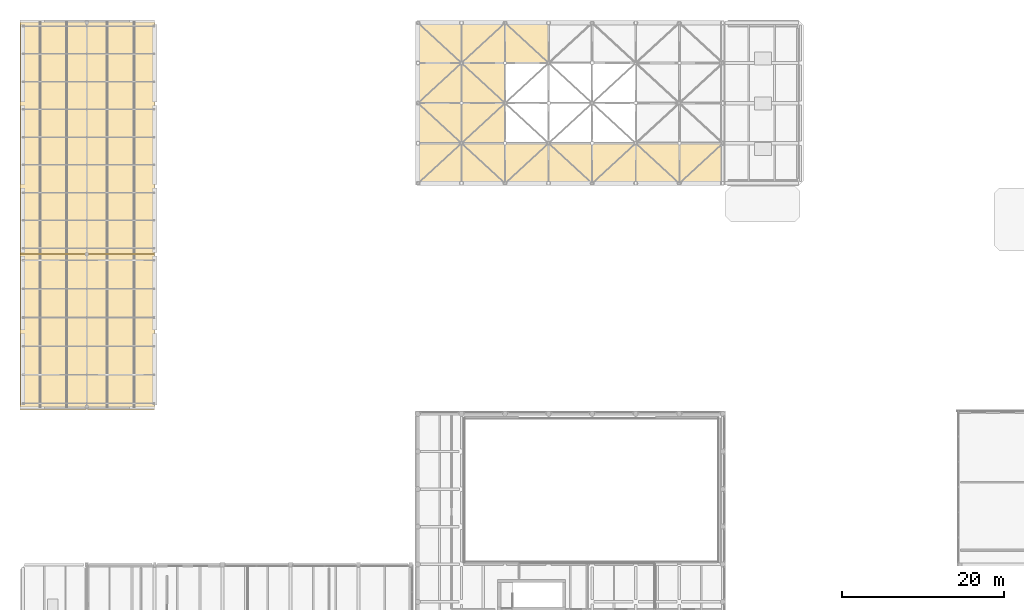
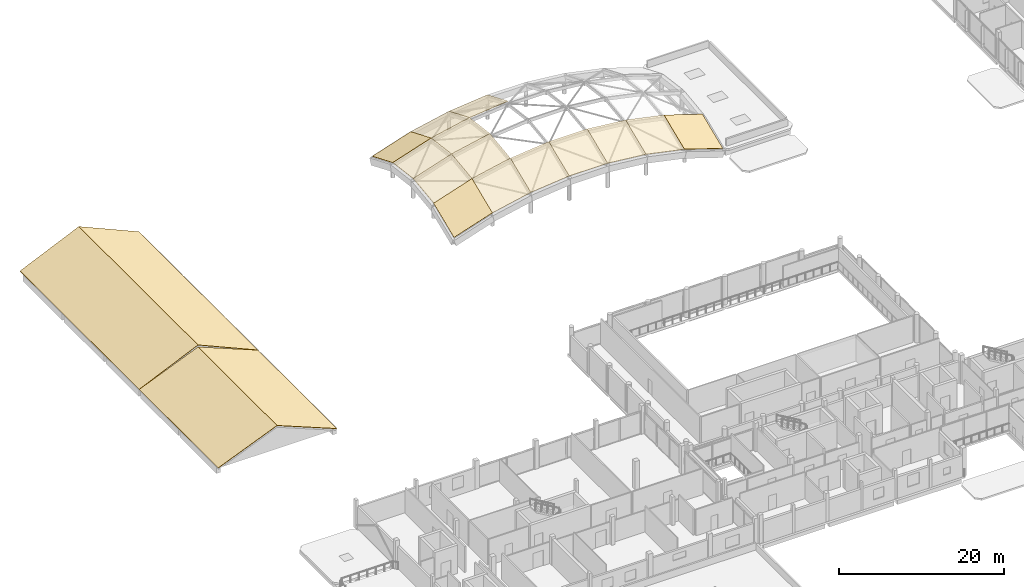
# One storey, part 61 of 66: 18 coverings.
"""IFC4 building model written with IfcOpenShell, lengths in metres."""

from ifc_helpers import new_model, si_unit, direction, frame, origin, place, context, subcontext, project, spatial, polyline, outline, extrude, material, layer, layer_set, type_object, element, save


model = new_model("IFC4")

# Units and contexts
model_context = context("Model", 3, precision=1e-05, world=origin(), true_north=direction((0.0, 1.0)))
body_context = subcontext(model_context, "Body", "Model", "MODEL_VIEW")
ifc_project = project(units=[si_unit("LENGTHUNIT", "METRE"), si_unit("AREAUNIT", "SQUARE_METRE"), si_unit("VOLUMEUNIT", "CUBIC_METRE"), si_unit("PLANEANGLEUNIT", "RADIAN"), si_unit("MASSUNIT", "GRAM", prefix="KILO")], contexts=[model_context])

# Site, building, storey
site_placement = place(None, origin())
site = spatial("IfcSite", under=ifc_project, at=site_placement, CompositionType="ELEMENT")
building_placement = place(site_placement, origin())
building = spatial("IfcBuilding", under=site, at=building_placement, Name="Birchvale Park Specialist Clinic", CompositionType="ELEMENT")
storey_placement = place(building_placement, frame((0.0, 0.0, 5.39990234375)))
storey = spatial("IfcBuildingStorey", under=building, at=storey_placement, Name="L01", CompositionType="ELEMENT", Elevation=5.39990234375)

# Coverings
ifc_material = material(Name="Standing-seam titanium-zinc roofing")
ifc_layer_1 = layer(ifc_material, 0.06005859375)
ifc_layer_set_1 = layer_set([ifc_layer_1], Name="Standing-seam titanium-zinc roofing")
covering_type_1 = type_object("IfcCoveringType", Name="COV-RF1", PredefinedType="ROOFING", material=ifc_layer_set_1)
covering_1_placement = place(storey_placement, frame((2.949951171875, 63.60009765625, 0.06005859375), z_axis=(-0.381045648393, 0.0, 0.924556225354), x_axis=(0.924556225354, 0.0, 0.381045648393)))
element("IfcCovering", 1, at=covering_1_placement, inside=storey, type_object=covering_type_1, Name="L01 standing-seam zinc roof V2-L01-WP1 W", PredefinedType="ROOFING", context=body_context, shape_type="SweptSolid", body=[
    extrude(outline(polyline([(0.0, 0.0), (8.923199880940002, 0.0), (8.923199880940002, 19.199951171875), (0.0, 19.199951171875), (0.0, 0.0)])), origin(), (0.0, 0.0, -1.0), 0.06005859375),
])
covering_2_placement = place(storey_placement, frame((11.199951171875, 63.60009765625, 3.460205078125), z_axis=(0.375201024911, 0.0, 0.926943466942), x_axis=(0.926943466942, 0.0, -0.375201024911)))
element("IfcCovering", 2, at=covering_2_placement, inside=storey, type_object=covering_type_1, Name="L01 standing-seam zinc roof V2-L01-WP1 E", PredefinedType="ROOFING", context=body_context, shape_type="SweptSolid", body=[
    extrude(outline(polyline([(0.0, 0.0), (9.062199350828989, 0.0), (9.062199350828989, 19.199951171875), (0.0, 19.199951171875), (0.0, 0.0)])), origin(), (0.0, 0.0, -1.0), 0.06005859375),
])
covering_3_placement = place(storey_placement, frame((2.949951171875, 82.800048828125, 0.06005859375), z_axis=(-0.409210181998, 0.0, 0.91244014979), x_axis=(0.91244014979, 0.0, 0.409210181998)))
element("IfcCovering", 3, at=covering_3_placement, inside=storey, type_object=covering_type_1, Name="L01 standing-seam zinc roof V2-L01-WP2 W", PredefinedType="ROOFING", context=body_context, shape_type="SweptSolid", body=[
    extrude(outline(polyline([(0.0, 0.0), (9.041688928195837, 0.0), (9.041688928195837, 28.949951171875), (0.0, 28.949951171875), (0.0, 0.0)])), origin(), (0.0, 0.0, -1.0), 0.06005859375),
])
covering_4_placement = place(storey_placement, frame((11.199951171875, 82.800048828125, 3.760009765625), z_axis=(0.403093343439, 0.0, 0.915158869528), x_axis=(0.915158869528, 0.0, -0.403093343439)))
element("IfcCovering", 4, at=covering_4_placement, inside=storey, type_object=covering_type_1, Name="L01 standing-seam zinc roof V2-L01-WP2 E", PredefinedType="ROOFING", context=body_context, shape_type="SweptSolid", body=[
    extrude(outline(polyline([(0.0, 0.0), (9.178894248939622, 0.0), (9.178894248939622, 28.949951171875007), (0.0, 28.949951171875007), (0.0, 0.0)])), origin(), (0.0, 0.0, -1.0), 0.06005859375),
])
ifc_layer_2 = layer(ifc_material, 0.054931640625)
ifc_layer_set_2 = layer_set([ifc_layer_2], Name="Standing-seam titanium-zinc roofing")
covering_type_2 = type_object("IfcCoveringType", Name="COV-RF2", PredefinedType="ROOFING", material=ifc_layer_set_2)
covering_5_placement = place(storey_placement, frame((52.14990234375, 91.550048828125, 0.05517578125), z_axis=(-0.289223870529, -0.368745241043, 0.883389212026), x_axis=(0.950359787649, 7.01663e-06, 0.311153135883)))
element("IfcCovering", 5, at=covering_5_placement, inside=storey, type_object=covering_type_2, Name="V3 gridshell standing-seam covering 1", PredefinedType="ROOFING", context=body_context, shape_type="SweptSolid", body=[
    extrude(outline(polyline([(0.0, 0.0), (5.667088871100551, 1.1102230246251565e-16), (6.311611777556981, 5.338564002904907), (0.644598871577494, 5.33864955920852), (0.0, 0.0)])), origin(), (0.0, 0.0, -1.0), 0.054931640625),
])
covering_6_placement = place(storey_placement, frame((52.14990234375, 96.512451171875, 2.126708984375), z_axis=(-0.308827211737, -0.121974265669, 0.943264560876), x_axis=(0.950360748527, -2.478321e-06, 0.311150201115)))
element("IfcCovering", 6, at=covering_6_placement, inside=storey, type_object=covering_type_2, Name="V3 gridshell standing-seam covering 2", PredefinedType="ROOFING", context=body_context, shape_type="SweptSolid", body=[
    extrude(outline(polyline([(0.0, 0.0), (5.667012906481524, -5.551115123125783e-17), (5.8667110270615686, 4.999994668284966), (0.19962215617547485, 4.999966367425642), (0.0, 0.0)])), origin(), (0.0, 0.0, -1.0), 0.054931640625),
])
covering_7_placement = place(storey_placement, frame((52.14990234375, 101.47509765625, 2.768310546875), z_axis=(-0.308826985684, 0.121980177282, 0.943263870433), x_axis=(0.950360558987, -2.478406e-06, 0.311150780033)))
element("IfcCovering", 7, at=covering_7_placement, inside=storey, type_object=covering_type_2, Name="V3 gridshell standing-seam covering 3", PredefinedType="ROOFING", context=body_context, shape_type="SweptSolid", body=[
    extrude(outline(polyline([(0.0, 0.0), (5.667088870956761, 2.7755575615628914e-17), (5.467365780919758, 4.999751354009851), (-0.1996471254910954, 4.999723052158271), (0.0, 0.0)])), origin(), (0.0, 0.0, -1.0), 0.054931640625),
])
covering_8_placement = place(storey_placement, frame((52.14990234375, 106.4375, 2.126708984375), z_axis=(-0.289223870529, 0.368745241043, 0.883389212026), x_axis=(0.950361519836, 7.016724e-06, 0.311147845189)))
element("IfcCovering", 8, at=covering_8_placement, inside=storey, type_object=covering_type_2, Name="V3 gridshell standing-seam covering 4", PredefinedType="ROOFING", context=body_context, shape_type="SweptSolid", body=[
    extrude(outline(polyline([(0.0, 0.0), (5.667012906625318, 0.0), (5.022570597871147, 5.338573732819159), (-0.6445182725835623, 5.338659290269627), (0.0, 0.0)])), origin(), (0.0, 0.0, -1.0), 0.054931640625),
])
covering_9_placement = place(storey_placement, frame((57.53564453125, 91.550048828125, 1.818603515625), z_axis=(-0.192052205924, -0.37801873904, 0.90565875645), x_axis=(0.978246670793, 0.0, 0.207445055574)))
element("IfcCovering", 9, at=covering_9_placement, inside=storey, type_object=covering_type_2, Name="V3 gridshell standing-seam covering 5", PredefinedType="ROOFING", context=body_context, shape_type="SweptSolid", body=[
    extrude(outline(polyline([(0.0, 0.0), (5.5055052557793625, 0.0), (5.935183930460209, 5.360135412301832), (0.4296786746808461, 5.360135412301832), (0.0, 0.0)])), origin(), (0.0, 0.0, -1.0), 0.054931640625),
])
covering_10_placement = place(storey_placement, frame((57.53564453125, 96.512451171875, 3.889892578125), z_axis=(-0.205783910179, -0.125498293751, 0.970516955327), x_axis=(0.978251099222, 2.70056e-06, 0.207424171361)))
element("IfcCovering", 10, at=covering_10_placement, inside=storey, type_object=covering_type_2, Name="V3 gridshell standing-seam covering 6", PredefinedType="ROOFING", context=body_context, shape_type="SweptSolid", body=[
    extrude(outline(polyline([(0.0, 0.0), (5.505505254504689, 0.0), (5.638602328874253, 5.002179309924905), (0.13314771503639933, 5.002209282651488), (0.0, 0.0)])), origin(), (0.0, 0.0, -1.0), 0.054931640625),
])
covering_11_placement = place(storey_placement, frame((57.53564453125, 101.47509765625, 4.53173828125), z_axis=(-0.205783750721, 0.125504370774, 0.970516203294), x_axis=(0.978251240948, 2.700713e-06, 0.207423502952)))
element("IfcCovering", 11, at=covering_11_placement, inside=storey, type_object=covering_type_2, Name="V3 gridshell standing-seam covering 7", PredefinedType="ROOFING", context=body_context, shape_type="SweptSolid", body=[
    extrude(outline(polyline([(0.0, 0.0), (5.505454613919443, 2.7755575615628914e-17), (5.372384772353366, 5.0019378234328435), (-0.13312048206972624, 5.001967797886509), (0.0, 0.0)])), origin(), (0.0, 0.0, -1.0), 0.054931640625),
])
covering_12_placement = place(storey_placement, frame((57.53564453125, 106.4375, 3.889892578125), z_axis=(-0.192052205924, 0.37801873904, 0.90565875645), x_axis=(0.978246670793, 0.0, 0.207445055574)))
element("IfcCovering", 12, at=covering_12_placement, inside=storey, type_object=covering_type_2, Name="V3 gridshell standing-seam covering 8", PredefinedType="ROOFING", context=body_context, shape_type="SweptSolid", body=[
    extrude(outline(polyline([(0.0, 0.0), (5.5055052557793625, 0.0), (5.075826581098516, 5.360135412301832), (-0.4296786746808461, 5.360135412301832), (0.0, 0.0)])), origin(), (0.0, 0.0, -1.0), 0.054931640625),
])
covering_13_placement = place(storey_placement, frame((62.92138671875, 91.550048828125, 2.960693359375), z_axis=(-0.095773780549, -0.383418480446, 0.918595477788), x_axis=(0.994608725176, 0.0, 0.103699005798)))
element("IfcCovering", 13, at=covering_13_placement, inside=storey, type_object=covering_type_2, Name="V3 gridshell standing-seam covering 9", PredefinedType="ROOFING", context=body_context, shape_type="SweptSolid", body=[
    extrude(outline(polyline([(0.0, 0.0), (5.4149355934377565, 0.0), (5.629726209939393, 5.373038283201645), (0.21479061650163686, 5.373038283201645), (0.0, 0.0)])), origin(), (0.0, 0.0, -1.0), 0.054931640625),
])
covering_14_placement = place(storey_placement, frame((62.92138671875, 106.4375, 5.031982421875), z_axis=(-0.095773780549, 0.383418480446, 0.918595477788), x_axis=(0.994608725176, 0.0, 0.103699005798)))
element("IfcCovering", 14, at=covering_14_placement, inside=storey, type_object=covering_type_2, Name="V3 gridshell standing-seam covering 12", PredefinedType="ROOFING", context=body_context, shape_type="SweptSolid", body=[
    extrude(outline(polyline([(0.0, 0.0), (5.4149355934377565, 0.0), (5.200144976936119, 5.373038283201645), (-0.21479061650163686, 5.373038283201645), (0.0, 0.0)])), origin(), (0.0, 0.0, -1.0), 0.054931640625),
])
covering_15_placement = place(storey_placement, frame((68.30712890625, 91.550048828125, 3.522216796875), z_axis=(0.0, -0.385189146475, 0.922837646305), x_axis=(1.0, 0.0, 0.0)))
element("IfcCovering", 15, at=covering_15_placement, inside=storey, type_object=covering_type_2, Name="V3 gridshell standing-seam covering 13", PredefinedType="ROOFING", context=body_context, shape_type="SweptSolid", body=[
    extrude(outline(polyline([(0.0, 0.0), (5.3857421875, 0.0), (5.3857421875, 5.377329765012336), (0.0, 5.377329765012336), (0.0, 0.0)])), origin(), (0.0, 0.0, -1.0), 0.054931640625),
])
covering_16_placement = place(storey_placement, frame((73.69287109375, 91.550048828125, 3.522216796875), z_axis=(0.095773780549, -0.383418480446, 0.918595477788), x_axis=(0.994608725176, 0.0, -0.103699005798)))
element("IfcCovering", 16, at=covering_16_placement, inside=storey, type_object=covering_type_2, Name="V3 gridshell standing-seam covering 17", PredefinedType="ROOFING", context=body_context, shape_type="SweptSolid", body=[
    extrude(outline(polyline([(0.0, 0.0), (5.4149355934377565, 0.0), (5.200144976936119, 5.373038283201645), (-0.21479061650163686, 5.373038283201645), (0.0, 0.0)])), origin(), (0.0, 0.0, -1.0), 0.054931640625),
])
covering_17_placement = place(storey_placement, frame((79.07861328125, 91.550048828125, 2.960693359375), z_axis=(0.192052205924, -0.37801873904, 0.90565875645), x_axis=(0.978246670793, 0.0, -0.207445055574)))
element("IfcCovering", 17, at=covering_17_placement, inside=storey, type_object=covering_type_2, Name="V3 gridshell standing-seam covering 21", PredefinedType="ROOFING", context=body_context, shape_type="SweptSolid", body=[
    extrude(outline(polyline([(0.0, 0.0), (5.5055052557793625, 0.0), (5.075826581098516, 5.360135412301832), (-0.4296786746808461, 5.360135412301832), (0.0, 0.0)])), origin(), (0.0, 0.0, -1.0), 0.054931640625),
])
covering_18_placement = place(storey_placement, frame((84.46435546875, 91.550048828125, 1.818603515625), z_axis=(0.289223870529, -0.368745241043, 0.883389212026), x_axis=(0.950359787649, -7.01663e-06, -0.311153135883)))
element("IfcCovering", 18, at=covering_18_placement, inside=storey, type_object=covering_type_2, Name="V3 gridshell standing-seam covering 25", PredefinedType="ROOFING", context=body_context, shape_type="SweptSolid", body=[
    extrude(outline(polyline([(0.0, 0.0), (5.667088871100551, -1.1102230246251565e-16), (5.022489999523057, 5.33864955920852), (-0.6445229064564287, 5.338564002904907), (0.0, 0.0)])), origin(), (0.0, 0.0, -1.0), 0.054931640625),
])

save(model, "model.ifc")
